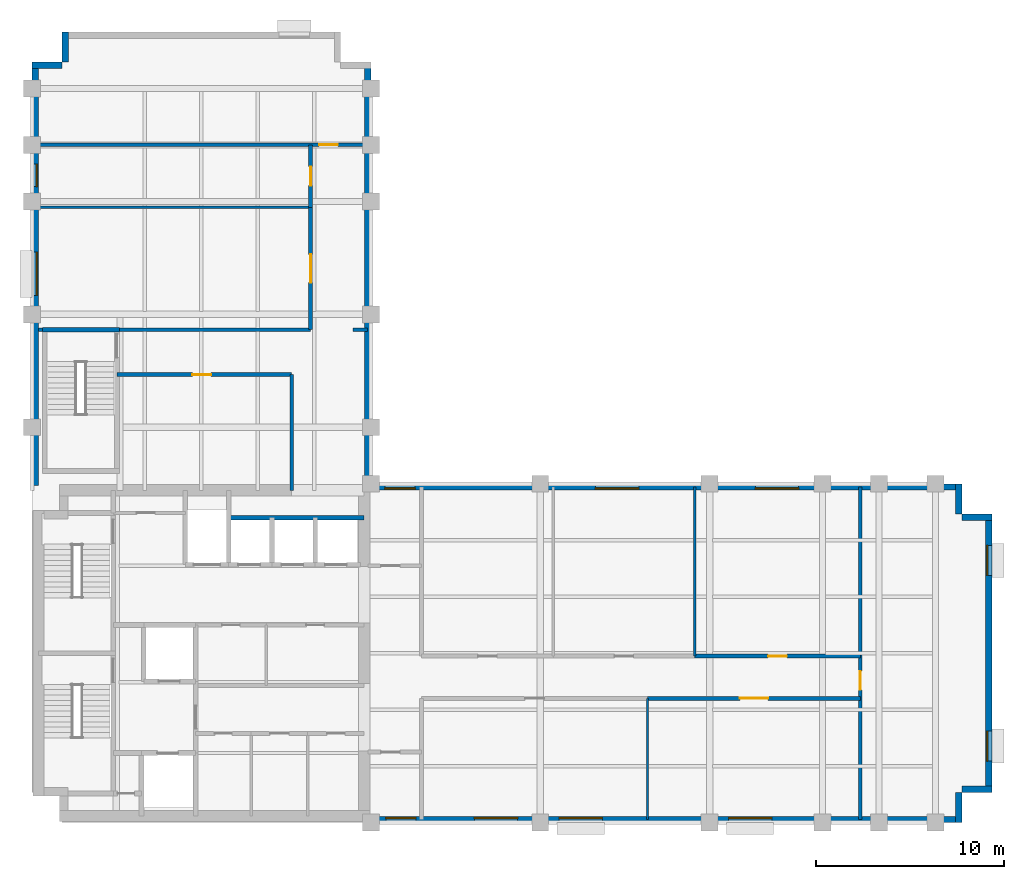
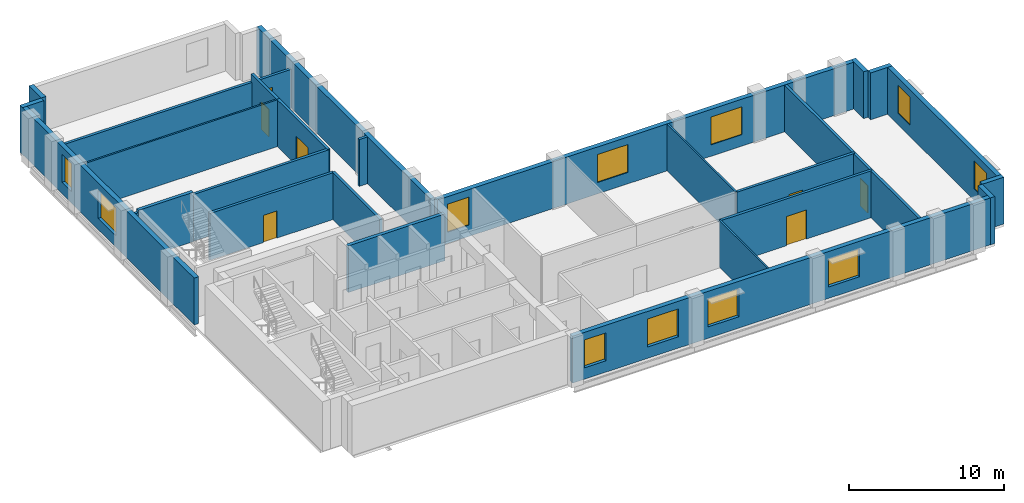
# One storey, part 4 of 7: 27 walls, 11 windows, 7 doors, 18 openings.
"""IFC4 building model written with IfcOpenShell, lengths in metres."""

import ifcopenshell
import ifcopenshell.guid

model = None  # the IFC model being written
_history = None  # IfcOwnerHistory: only IFC2X3 demands one
_inside = {}  # id of a spatial element -> (the spatial element, [elements in it])
_under = {}  # id of a project, library or spatial element -> (it, [spatial elements below it])
_declared = {}  # id of a project -> (the project, [libraries it declares])
_typed = {}  # id of a type object -> (the type object, [elements of that type])
_made_of = {}  # id of a material, layer set ... -> (it, [elements and type objects made of it])


def new_model(schema):
    """Start an empty IFC model of exactly this schema.

    Asked for "IFC4X3", IfcOpenShell would pick the latest addendum, in which some entities
    have other attributes; the version numbers below select the first issue.
    IFC2X3 requires an IfcOwnerHistory on every rooted entity: one is made here for all.
    """
    global model, _history
    if schema == "IFC4X3":
        model = ifcopenshell.file(schema_version=(4, 3, 0, 0))
    else:
        model = ifcopenshell.file(schema=schema)
    _inside.clear()
    _under.clear()
    _declared.clear()
    _typed.clear()
    _made_of.clear()
    _history = None
    if model.schema == "IFC2X3":
        org = make("IfcOrganization", Name="unknown")
        user = make(
            "IfcPersonAndOrganization",
            ThePerson=make("IfcPerson", FamilyName="unknown"),
            TheOrganization=org,
        )
        app = make(
            "IfcApplication",
            ApplicationDeveloper=org,
            Version="unknown",
            ApplicationFullName="unknown",
            ApplicationIdentifier="unknown",
        )
        _history = make(
            "IfcOwnerHistory",
            OwningUser=user,
            OwningApplication=app,
            ChangeAction="ADDED",
            CreationDate=0,
        )
    return model


def make(cls, **values):
    """One entity of the class cls with the attributes given. An attribute that is None is left unset."""
    return model.create_entity(
        cls, **{name: value for name, value in values.items() if value is not None}
    )


def rooted(cls, **values):
    """An entity with a GlobalId (a new one), such as an element, a storey or a relation."""
    return make(cls, GlobalId=ifcopenshell.guid.new(), OwnerHistory=_history, **values)


def si_unit(unit_type, name, prefix=None):
    """IfcSIUnit, for example si_unit("LENGTHUNIT", "METRE", prefix="MILLI")."""
    return make("IfcSIUnit", UnitType=unit_type, Prefix=prefix, Name=name)


def assignment(units):
    """IfcUnitAssignment: the units of a project."""
    return None if units is None else make("IfcUnitAssignment", Units=units)


def point(xyz):
    """IfcCartesianPoint."""
    return None if xyz is None else make("IfcCartesianPoint", Coordinates=xyz)


def direction(xyz):
    """IfcDirection."""
    return None if xyz is None else make("IfcDirection", DirectionRatios=xyz)


def frame(location, z_axis=None, x_axis=None):
    """IfcAxis2Placement3D, a coordinate frame: its origin and axes. An axis left out is left unset."""
    return make(
        "IfcAxis2Placement3D",
        Location=point(location),
        Axis=direction(z_axis),
        RefDirection=direction(x_axis),
    )


def frame_2d(location, x_axis=None):
    """IfcAxis2Placement2D, a coordinate frame in the plane: its origin and x axis."""
    return make(
        "IfcAxis2Placement2D", Location=point(location), RefDirection=direction(x_axis)
    )


def origin():
    """The frame at (0, 0, 0) with its axes left unset."""
    return frame((0.0, 0.0, 0.0))


def place(relative_to, where):
    """IfcLocalPlacement: puts the frame where relative to a parent placement (None: the world)."""
    return make(
        "IfcLocalPlacement", PlacementRelTo=relative_to, RelativePlacement=where
    )


def context(
    kind, dimensions, precision=None, world=None, true_north=None, identifier=None
):
    """IfcGeometricRepresentationContext, for example the 3D "Model" context."""
    return make(
        "IfcGeometricRepresentationContext",
        ContextIdentifier=identifier,
        ContextType=kind,
        CoordinateSpaceDimension=dimensions,
        Precision=precision,
        WorldCoordinateSystem=world,
        TrueNorth=true_north,
    )


def subcontext(parent, identifier, kind, view, scale=None):
    """IfcGeometricRepresentationSubContext, for example "Body" below "Model"."""
    return make(
        "IfcGeometricRepresentationSubContext",
        ContextIdentifier=identifier,
        ContextType=kind,
        ParentContext=parent,
        TargetScale=scale,
        TargetView=view,
    )


def project(units=None, contexts=None):
    """IfcProject with its units and contexts."""
    return rooted(
        "IfcProject",
        Name="project",
        RepresentationContexts=contexts,
        UnitsInContext=assignment(units),
    )


def spatial(cls, under=None, at=None, **own):
    """A site, building, storey or space (cls), placed at a placement, below another one or the project."""
    s = rooted(cls, ObjectPlacement=at, **own)
    if under is not None:
        _under.setdefault(under.id(), (under, []))[1].append(s)
    return s


def profile(cls, at=None, kind="AREA", **sizes):
    """A parametric profile (cls). Its sizes go by their IFC names, for example OverallWidth=200.0."""
    return make(cls, ProfileType=kind, Position=at, **sizes)


def rectangle(**sizes):
    """IfcRectangleProfileDef."""
    return profile("IfcRectangleProfileDef", **sizes)


def extrude(swept, where, along, depth):
    """IfcExtrudedAreaSolid: the profile swept, set in the frame where, extruded along a direction by depth."""
    return make(
        "IfcExtrudedAreaSolid",
        SweptArea=swept,
        Position=where,
        ExtrudedDirection=direction(along),
        Depth=depth,
    )


def shape(context_of_items, identifier, shape_type, items):
    """IfcShapeRepresentation: the items that make up one representation, for example the "Body"."""
    return make(
        "IfcShapeRepresentation",
        ContextOfItems=context_of_items,
        RepresentationIdentifier=identifier,
        RepresentationType=shape_type,
        Items=items,
    )


def material(Name=None, Category=None):
    """IfcMaterial."""
    return make("IfcMaterial", Name=Name, Category=Category)


def layer(
    of_material, thickness, ventilated=None, Name=None, Category=None, Priority=None
):
    """IfcMaterialLayer: one layer of a wall or slab, of a material (None: an air gap)."""
    return make(
        "IfcMaterialLayer",
        Material=of_material,
        LayerThickness=thickness,
        IsVentilated=ventilated,
        Name=Name,
        Category=Category,
        Priority=Priority,
    )


def layer_set(layers, Name=None):
    """IfcMaterialLayerSet."""
    return make("IfcMaterialLayerSet", MaterialLayers=layers, LayerSetName=Name)


def made_of(thing, what):
    """Note that an element or type object is made of a material, layer set ...; save() writes the relation."""
    if what is not None:
        _made_of.setdefault(what.id(), (what, []))[1].append(thing)
    return thing


def type_object(cls, material=None, **own):
    """A type object (cls), such as IfcWallType, which elements share."""
    return made_of(rooted(cls, **own), material)


def element(
    cls,
    number,
    at=None,
    inside=None,
    cuts=None,
    type_object=None,
    material=None,
    context=None,
    identifier="Body",
    shape_type=None,
    held_by="IfcProductDefinitionShape",
    body=None,
    shapes=None,
    **own,
):
    """One element of the class cls, such as IfcWall. Its Tag is "e" and its number.

    at: its placement. inside: the storey or other place that contains it. cuts: it is an
    opening in that element (IfcRelVoidsElement). A single representation is given by context,
    identifier, shape_type and body (its items); several are given by shapes. held_by: the class
    of the entity that holds the representations. save() writes the other relations.
    """
    e = rooted(cls, Tag="e%d" % number, ObjectPlacement=at, **own)
    if body is not None:
        shapes = [shape(context, identifier, shape_type, body)]
    if shapes is not None:
        e.Representation = make(held_by, Representations=shapes)
    if inside is not None:
        _inside.setdefault(inside.id(), (inside, []))[1].append(e)
    if cuts is not None:
        rooted(
            "IfcRelVoidsElement", RelatingBuildingElement=cuts, RelatedOpeningElement=e
        )
    if type_object is not None:
        _typed.setdefault(type_object.id(), (type_object, []))[1].append(e)
    return made_of(e, material)


def fill(opening, filler):
    """IfcRelFillsElement: the door or window that sits in an opening."""
    return rooted(
        "IfcRelFillsElement",
        RelatingOpeningElement=opening,
        RelatedBuildingElement=filler,
    )


def aggregate(whole, parts):
    """IfcRelAggregates: a whole, such as a stair, and the parts it consists of."""
    return rooted("IfcRelAggregates", RelatingObject=whole, RelatedObjects=parts)


def save(model, path):
    """Write the relations noted so far, then the file.

    IfcRelAggregates (storeys below a building ...), IfcRelContainedInSpatialStructure (elements
    in a storey), IfcRelDefinesByType, IfcRelAssociatesMaterial and IfcRelDeclares: one each for
    every whole, place, type object, material and project.
    """
    for whole, parts in _under.values():
        aggregate(whole, parts)
    for where, things in _inside.values():
        rooted(
            "IfcRelContainedInSpatialStructure",
            RelatedElements=things,
            RelatingStructure=where,
        )
    for kind, things in _typed.values():
        rooted("IfcRelDefinesByType", RelatedObjects=things, RelatingType=kind)
    for what, things in _made_of.values():
        rooted("IfcRelAssociatesMaterial", RelatedObjects=things, RelatingMaterial=what)
    for by, libraries in _declared.values():
        rooted("IfcRelDeclares", RelatingContext=by, RelatedDefinitions=libraries)
    model.write(path)


model = new_model("IFC4")

# Units and contexts
model_context = context("Model", 3, precision=1e-05, world=origin(), true_north=direction((0.0, 1.0)))
body_context = subcontext(model_context, "Body", "Model", "MODEL_VIEW")
ifc_project = project(units=[si_unit("LENGTHUNIT", "METRE"), si_unit("AREAUNIT", "SQUARE_METRE"), si_unit("VOLUMEUNIT", "CUBIC_METRE"), si_unit("PLANEANGLEUNIT", "RADIAN"), si_unit("MASSUNIT", "GRAM", prefix="KILO")], contexts=[model_context])

# Site, building, storey
site_placement = place(None, origin())
site = spatial("IfcSite", under=ifc_project, at=site_placement, CompositionType="ELEMENT")
building_placement = place(site_placement, origin())
building = spatial("IfcBuilding", under=site, at=building_placement, Name="Mawjdan Bourse Tower", CompositionType="ELEMENT")
storey_placement = place(building_placement, frame((0.0, 0.0, 168.300048828125)))
storey = spatial("IfcBuildingStorey", under=building, at=storey_placement, Name="L40", CompositionType="ELEMENT", Elevation=168.300048828125)

# Wall, openings, windows
ifc_material_1 = material(Name="Brick Masonry Buff", Category="masonry")
ifc_layer_1 = layer(ifc_material_1, 0.340087890625)
ifc_layer_set_1 = layer_set([ifc_layer_1], Name="Brick Masonry Buff")
wall_type_1 = type_object("IfcWallType", Name="WL-BRK-SPN-340", PredefinedType="STANDARD", material=ifc_layer_set_1)
wall_1_placement = place(storey_placement, frame((23.89990234375, 3.169921875, 0.0), z_axis=(0.0, 0.0, 1.0), x_axis=(1.0, 0.0, 0.0)))
wall_1 = element("IfcWall", 1, at=wall_1_placement, inside=storey, type_object=wall_type_1, Name="L40 Exterior Brick Wall 1", PredefinedType="STANDARD", context=body_context, shape_type="SweptSolid", body=[
    extrude(rectangle(XDim=31.5, YDim=0.340087890625, at=frame_2d((15.75, 0.0))), origin(), (0.0, 0.0, 1.0), 3.699951171875),
])
opening_1_placement = place(wall_1_placement, frame((5.60009765625, 0.0, 0.89990234375)))
opening_1 = element("IfcOpeningElement", 2, at=opening_1_placement, cuts=wall_1, Name="Opening W-L40-01", PredefinedType="OPENING", context=body_context, shape_type="SweptSolid", body=[
    extrude(rectangle(XDim=2.300048828125, YDim=2.199951171875, at=frame_2d((1.14990234375, 1.10009765625))), frame((0.0, 0.18017578125, 0.0), z_axis=(0.0, -1.0, 0.0), x_axis=(1.0, 0.0, 0.0)), (0.0, 0.0, 1.0), 0.360107421875),
])
opening_2_placement = place(wall_1_placement, frame((10.10009765625, 0.0, 0.89990234375)))
opening_2 = element("IfcOpeningElement", 3, at=opening_2_placement, cuts=wall_1, Name="Opening W-L40-02", PredefinedType="OPENING", context=body_context, shape_type="SweptSolid", body=[
    extrude(rectangle(XDim=2.300048828125, YDim=2.199951171875, at=frame_2d((1.14990234375, 1.10009765625))), frame((0.0, 0.18017578125, 0.0), z_axis=(0.0, -1.0, 0.0), x_axis=(1.0, 0.0, 0.0)), (0.0, 0.0, 1.0), 0.360107421875),
])
opening_3_placement = place(wall_1_placement, frame((19.10009765625, 0.0, 0.89990234375)))
opening_3 = element("IfcOpeningElement", 4, at=opening_3_placement, cuts=wall_1, Name="Opening W-L40-03", PredefinedType="OPENING", context=body_context, shape_type="SweptSolid", body=[
    extrude(rectangle(XDim=2.300048828125, YDim=2.199951171875, at=frame_2d((1.14990234375, 1.10009765625))), frame((0.0, 0.18017578125, 0.0), z_axis=(0.0, -1.0, 0.0), x_axis=(1.0, 0.0, 0.0)), (0.0, 0.0, 1.0), 0.360107421875),
])
opening_4_placement = place(wall_1_placement, frame((0.89990234375, 0.0, 0.89990234375)))
opening_4 = element("IfcOpeningElement", 5, at=opening_4_placement, cuts=wall_1, Name="Opening W-L40-09", PredefinedType="OPENING", context=body_context, shape_type="SweptSolid", body=[
    extrude(rectangle(XDim=1.60009765625, YDim=2.199951171875, at=frame_2d((0.800048828125, 1.10009765625))), frame((0.0, 0.18017578125, 0.0), z_axis=(0.0, -1.0, 0.0), x_axis=(1.0, 0.0, 0.0)), (0.0, 0.0, 1.0), 0.360107421875),
])
ifc_material_2 = material(Name="Solar-Control Clear Double Glazing", Category="glass")
window_type_1 = type_object("IfcWindowType", Name="WN-Z3-1600", PartitioningType="SINGLE_PANEL", PredefinedType="WINDOW", material=ifc_material_2)
window_1_placement = place(opening_4_placement, origin())
window_1 = element("IfcWindow", 6, at=window_1_placement, inside=storey, type_object=window_type_1, Name="L40 Deep-Set Masonry Window W-L40-09", OverallHeight=2.199951171875, OverallWidth=1.60009765625, PartitioningType="SINGLE_PANEL", PredefinedType="WINDOW", context=body_context, shape_type="SweptSolid", body=[
    extrude(rectangle(XDim=1.60009765625, YDim=2.199951171875, at=frame_2d((0.800048828125, 1.10009765625))), frame((0.0, 0.110107421875, 0.0), z_axis=(0.0, -1.0, 0.0), x_axis=(1.0, 0.0, 0.0)), (0.0, 0.0, 1.0), 0.06005859375),
])
fill(opening_4, window_1)
window_type_2 = type_object("IfcWindowType", Name="WN-Z3-2300", PartitioningType="SINGLE_PANEL", PredefinedType="WINDOW", material=ifc_material_2)
window_2_placement = place(opening_1_placement, origin())
window_2 = element("IfcWindow", 7, at=window_2_placement, inside=storey, type_object=window_type_2, Name="L40 Deep-Set Masonry Window W-L40-01", OverallHeight=2.199951171875, OverallWidth=2.300048828125, PartitioningType="SINGLE_PANEL", PredefinedType="WINDOW", context=body_context, shape_type="SweptSolid", body=[
    extrude(rectangle(XDim=2.300048828125, YDim=2.199951171875, at=frame_2d((1.14990234375, 1.10009765625))), frame((0.0, 0.110107421875, 0.0), z_axis=(0.0, -1.0, 0.0), x_axis=(1.0, 0.0, 0.0)), (0.0, 0.0, 1.0), 0.06005859375),
])
fill(opening_1, window_2)
window_3_placement = place(opening_2_placement, origin())
window_3 = element("IfcWindow", 8, at=window_3_placement, inside=storey, type_object=window_type_2, Name="L40 Deep-Set Masonry Window W-L40-02", OverallHeight=2.199951171875, OverallWidth=2.300048828125, PartitioningType="SINGLE_PANEL", PredefinedType="WINDOW", context=body_context, shape_type="SweptSolid", body=[
    extrude(rectangle(XDim=2.300048828125, YDim=2.199951171875, at=frame_2d((1.14990234375, 1.10009765625))), frame((0.0, 0.110107421875, 0.0), z_axis=(0.0, -1.0, 0.0), x_axis=(1.0, 0.0, 0.0)), (0.0, 0.0, 1.0), 0.06005859375),
])
fill(opening_2, window_3)
window_4_placement = place(opening_3_placement, origin())
window_4 = element("IfcWindow", 9, at=window_4_placement, inside=storey, type_object=window_type_2, Name="L40 Deep-Set Masonry Window W-L40-03", OverallHeight=2.199951171875, OverallWidth=2.300048828125, PartitioningType="SINGLE_PANEL", PredefinedType="WINDOW", context=body_context, shape_type="SweptSolid", body=[
    extrude(rectangle(XDim=2.300048828125, YDim=2.199951171875, at=frame_2d((1.14990234375, 1.10009765625))), frame((0.0, 0.110107421875, 0.0), z_axis=(0.0, -1.0, 0.0), x_axis=(1.0, 0.0, 0.0)), (0.0, 0.0, 1.0), 0.06005859375),
])
fill(opening_3, window_4)

# Walls
for number, where, z_axis, x_axis, name in (
    (10, (55.22998046875, 3.0, 0.0), (0.0, 0.0, 1.0), (0.0, 1.0, 0.0), "L40 Exterior Brick Wall 2"),
    (11, (55.39990234375, 4.77001953125, 0.0), (0.0, 0.0, 1.0), (1.0, 0.0, 0.0), "L40 Exterior Brick Wall 3"),
):
    element("IfcWall", number, at=place(storey_placement, frame(where, z_axis=z_axis, x_axis=x_axis)), inside=storey, type_object=wall_type_1, Name=name, PredefinedType="STANDARD", context=body_context, shape_type="SweptSolid", body=[
        extrude(rectangle(XDim=1.60009765625, YDim=0.340087890625, at=frame_2d((0.800048828125, 0.0))), origin(), (0.0, 0.0, 1.0), 3.699951171875),
    ])

# Wall, openings, windows
wall_2_placement = place(storey_placement, frame((56.830078125, 4.60009765625, 0.0), z_axis=(0.0, 0.0, 1.0), x_axis=(0.0, 1.0, 0.0)))
wall_2 = element("IfcWall", 12, at=wall_2_placement, inside=storey, type_object=wall_type_1, Name="L40 Exterior Brick Wall 4", PredefinedType="STANDARD", context=body_context, shape_type="SweptSolid", body=[
    extrude(rectangle(XDim=14.7998046875, YDim=0.340087890625, at=frame_2d((7.39990234375, 0.0))), origin(), (0.0, 0.0, 1.0), 3.699951171875),
])
opening_5_placement = place(wall_2_placement, frame((1.666748046875, 0.0, 0.89990234375)))
opening_5 = element("IfcOpeningElement", 13, at=opening_5_placement, cuts=wall_2, Name="Opening W-L40-04", PredefinedType="OPENING", context=body_context, shape_type="SweptSolid", body=[
    extrude(rectangle(XDim=1.60009765625, YDim=2.199951171875, at=frame_2d((0.800048828125, 1.10009765625))), frame((0.0, 0.18017578125, 0.0), z_axis=(0.0, -1.0, 0.0), x_axis=(1.0, 0.0, 0.0)), (0.0, 0.0, 1.0), 0.360107421875),
])
opening_6_placement = place(wall_2_placement, frame((11.533203125, 0.0, 0.89990234375)))
opening_6 = element("IfcOpeningElement", 14, at=opening_6_placement, cuts=wall_2, Name="Opening W-L40-05", PredefinedType="OPENING", context=body_context, shape_type="SweptSolid", body=[
    extrude(rectangle(XDim=1.60009765625, YDim=2.199951171875, at=frame_2d((0.800048828125, 1.10009765625))), frame((0.0, 0.18017578125, 0.0), z_axis=(0.0, -1.0, 0.0), x_axis=(1.0, 0.0, 0.0)), (0.0, 0.0, 1.0), 0.360107421875),
])
window_5_placement = place(opening_5_placement, origin())
window_5 = element("IfcWindow", 15, at=window_5_placement, inside=storey, type_object=window_type_1, Name="L40 Deep-Set Masonry Window W-L40-04", OverallHeight=2.199951171875, OverallWidth=1.60009765625, PartitioningType="SINGLE_PANEL", PredefinedType="WINDOW", context=body_context, shape_type="SweptSolid", body=[
    extrude(rectangle(XDim=1.60009765625, YDim=2.199951171875, at=frame_2d((0.800048828125, 1.10009765625))), frame((0.0, 0.110107421875, 0.0), z_axis=(0.0, -1.0, 0.0), x_axis=(1.0, 0.0, 0.0)), (0.0, 0.0, 1.0), 0.06005859375),
])
fill(opening_5, window_5)
window_6_placement = place(opening_6_placement, origin())
window_6 = element("IfcWindow", 16, at=window_6_placement, inside=storey, type_object=window_type_1, Name="L40 Deep-Set Masonry Window W-L40-05", OverallHeight=2.199951171875, OverallWidth=1.60009765625, PartitioningType="SINGLE_PANEL", PredefinedType="WINDOW", context=body_context, shape_type="SweptSolid", body=[
    extrude(rectangle(XDim=1.60009765625, YDim=2.199951171875, at=frame_2d((0.800048828125, 1.10009765625))), frame((0.0, 0.110107421875, 0.0), z_axis=(0.0, -1.0, 0.0), x_axis=(1.0, 0.0, 0.0)), (0.0, 0.0, 1.0), 0.06005859375),
])
fill(opening_6, window_6)

# Walls
for number, where, z_axis, x_axis, name in (
    (17, (57.0, 19.22998046875, 0.0), (0.0, 0.0, 1.0), (-1.0, 0.0, 0.0), "L40 Exterior Brick Wall 5"),
    (18, (55.22998046875, 19.39990234375, 0.0), (0.0, 0.0, 1.0), (0.0, 1.0, 0.0), "L40 Exterior Brick Wall 6"),
):
    element("IfcWall", number, at=place(storey_placement, frame(where, z_axis=z_axis, x_axis=x_axis)), inside=storey, type_object=wall_type_1, Name=name, PredefinedType="STANDARD", context=body_context, shape_type="SweptSolid", body=[
        extrude(rectangle(XDim=1.60009765625, YDim=0.340087890625, at=frame_2d((0.800048828125, 0.0))), origin(), (0.0, 0.0, 1.0), 3.699951171875),
    ])

# Wall, openings, windows
wall_3_placement = place(storey_placement, frame((55.39990234375, 20.830078125, 0.0), z_axis=(0.0, 0.0, 1.0), x_axis=(-1.0, 0.0, 0.0)))
wall_3 = element("IfcWall", 19, at=wall_3_placement, inside=storey, type_object=wall_type_1, Name="L40 Exterior Brick Wall 7", PredefinedType="STANDARD", context=body_context, shape_type="SweptSolid", body=[
    extrude(rectangle(XDim=31.39990234375, YDim=0.340087890625, at=frame_2d((15.699951171875, 0.0))), origin(), (0.0, 0.0, 1.0), 3.699951171875),
])
opening_7_placement = place(wall_3_placement, frame((17.166748046875, 0.0, 0.89990234375)))
opening_7 = element("IfcOpeningElement", 20, at=opening_7_placement, cuts=wall_3, Name="Opening W-L40-06", PredefinedType="OPENING", context=body_context, shape_type="SweptSolid", body=[
    extrude(rectangle(XDim=2.300048828125, YDim=2.199951171875, at=frame_2d((1.14990234375, 1.10009765625))), frame((0.0, 0.18017578125, 0.0), z_axis=(0.0, -1.0, 0.0), x_axis=(1.0, 0.0, 0.0)), (0.0, 0.0, 1.0), 0.360107421875),
])
opening_8_placement = place(wall_3_placement, frame((29.0458984375, 0.0, 0.89990234375)))
opening_8 = element("IfcOpeningElement", 21, at=opening_8_placement, cuts=wall_3, Name="Opening W-L40-10", PredefinedType="OPENING", context=body_context, shape_type="SweptSolid", body=[
    extrude(rectangle(XDim=1.60009765625, YDim=2.199951171875, at=frame_2d((0.800048828125, 1.10009765625))), frame((0.0, 0.18017578125, 0.0), z_axis=(0.0, -1.0, 0.0), x_axis=(1.0, 0.0, 0.0)), (0.0, 0.0, 1.0), 0.360107421875),
])
opening_9_placement = place(wall_3_placement, frame((8.6748046875, 0.0, 0.89990234375)))
opening_9 = element("IfcOpeningElement", 22, at=opening_9_placement, cuts=wall_3, Name="Opening W-L40-11", PredefinedType="OPENING", context=body_context, shape_type="SweptSolid", body=[
    extrude(rectangle(XDim=2.300048828125, YDim=2.199951171875, at=frame_2d((1.14990234375, 1.10009765625))), frame((0.0, 0.18017578125, 0.0), z_axis=(0.0, -1.0, 0.0), x_axis=(1.0, 0.0, 0.0)), (0.0, 0.0, 1.0), 0.360107421875),
])
window_7_placement = place(opening_8_placement, origin())
window_7 = element("IfcWindow", 23, at=window_7_placement, inside=storey, type_object=window_type_1, Name="L40 Deep-Set Masonry Window W-L40-10", OverallHeight=2.199951171875, OverallWidth=1.60009765625, PartitioningType="SINGLE_PANEL", PredefinedType="WINDOW", context=body_context, shape_type="SweptSolid", body=[
    extrude(rectangle(XDim=1.60009765625, YDim=2.199951171875, at=frame_2d((0.800048828125, 1.10009765625))), frame((0.0, 0.110107421875, 0.0), z_axis=(0.0, -1.0, 0.0), x_axis=(1.0, 0.0, 0.0)), (0.0, 0.0, 1.0), 0.06005859375),
])
fill(opening_8, window_7)
window_8_placement = place(opening_7_placement, origin())
window_8 = element("IfcWindow", 24, at=window_8_placement, inside=storey, type_object=window_type_2, Name="L40 Deep-Set Masonry Window W-L40-06", OverallHeight=2.199951171875, OverallWidth=2.300048828125, PartitioningType="SINGLE_PANEL", PredefinedType="WINDOW", context=body_context, shape_type="SweptSolid", body=[
    extrude(rectangle(XDim=2.300048828125, YDim=2.199951171875, at=frame_2d((1.14990234375, 1.10009765625))), frame((0.0, 0.110107421875, 0.0), z_axis=(0.0, -1.0, 0.0), x_axis=(1.0, 0.0, 0.0)), (0.0, 0.0, 1.0), 0.06005859375),
])
fill(opening_7, window_8)
window_9_placement = place(opening_9_placement, origin())
window_9 = element("IfcWindow", 25, at=window_9_placement, inside=storey, type_object=window_type_2, Name="L40 Deep-Set Masonry Window W-L40-11", OverallHeight=2.199951171875, OverallWidth=2.300048828125, PartitioningType="SINGLE_PANEL", PredefinedType="WINDOW", context=body_context, shape_type="SweptSolid", body=[
    extrude(rectangle(XDim=2.300048828125, YDim=2.199951171875, at=frame_2d((1.14990234375, 1.10009765625))), frame((0.0, 0.110107421875, 0.0), z_axis=(0.0, -1.0, 0.0), x_axis=(1.0, 0.0, 0.0)), (0.0, 0.0, 1.0), 0.06005859375),
])
fill(opening_9, window_9)

# Walls
wall_4_placement = place(storey_placement, frame((23.830078125, 21.0, 0.0), z_axis=(0.0, 0.0, 1.0), x_axis=(0.0, 1.0, 0.0)))
element("IfcWall", 26, at=wall_4_placement, inside=storey, type_object=wall_type_1, Name="L40 Exterior Brick Wall 8", PredefinedType="STANDARD", context=body_context, shape_type="SweptSolid", body=[
    extrude(rectangle(XDim=22.39990234375, YDim=0.340087890625, at=frame_2d((11.199951171875, 0.0))), origin(), (0.0, 0.0, 1.0), 3.699951171875),
])
for number, where, z_axis, x_axis, name in (
    (27, (7.77001953125, 45.0, 0.0), (0.0, 0.0, 1.0), (0.0, -1.0, 0.0), "L40 Exterior Brick Wall 12"),
    (28, (7.60009765625, 43.22998046875, 0.0), (0.0, 0.0, 1.0), (-1.0, 0.0, 0.0), "L40 Exterior Brick Wall 13"),
):
    element("IfcWall", number, at=place(storey_placement, frame(where, z_axis=z_axis, x_axis=x_axis)), inside=storey, type_object=wall_type_1, Name=name, PredefinedType="STANDARD", context=body_context, shape_type="SweptSolid", body=[
        extrude(rectangle(XDim=1.60009765625, YDim=0.340087890625, at=frame_2d((0.800048828125, 0.0))), origin(), (0.0, 0.0, 1.0), 3.699951171875),
    ])

# Wall, openings, windows
wall_5_placement = place(storey_placement, frame((6.169921875, 43.39990234375, 0.0), z_axis=(0.0, 0.0, 1.0), x_axis=(0.0, -1.0, 0.0)))
wall_5 = element("IfcWall", 29, at=wall_5_placement, inside=storey, type_object=wall_type_1, Name="L40 Exterior Brick Wall 14", PredefinedType="STANDARD", context=body_context, shape_type="SweptSolid", body=[
    extrude(rectangle(XDim=22.5, YDim=0.340087890625, at=frame_2d((11.25, 0.0))), origin(), (0.0, 0.0, 1.0), 3.699951171875),
])
opening_10_placement = place(wall_5_placement, frame((10.10009765625, 0.0, 0.89990234375)))
opening_10 = element("IfcOpeningElement", 30, at=opening_10_placement, cuts=wall_5, Name="Opening W-L40-08", PredefinedType="OPENING", context=body_context, shape_type="SweptSolid", body=[
    extrude(rectangle(XDim=2.300048828125, YDim=2.199951171875, at=frame_2d((1.14990234375, 1.10009765625))), frame((0.0, 0.18017578125, 0.0), z_axis=(0.0, -1.0, 0.0), x_axis=(1.0, 0.0, 0.0)), (0.0, 0.0, 1.0), 0.360107421875),
])
opening_11_placement = place(wall_5_placement, frame((5.4248046875, 0.0, 0.89990234375)))
opening_11 = element("IfcOpeningElement", 31, at=opening_11_placement, cuts=wall_5, Name="Opening W-L40-12", PredefinedType="OPENING", context=body_context, shape_type="SweptSolid", body=[
    extrude(rectangle(XDim=1.199951171875, YDim=2.199951171875, at=frame_2d((0.60009765625, 1.10009765625))), frame((0.0, 0.18017578125, 0.0), z_axis=(0.0, -1.0, 0.0), x_axis=(1.0, 0.0, 0.0)), (0.0, 0.0, 1.0), 0.360107421875),
])
window_type_3 = type_object("IfcWindowType", Name="WN-Z3-1200", PartitioningType="SINGLE_PANEL", PredefinedType="WINDOW", material=ifc_material_2)
window_10_placement = place(opening_11_placement, origin())
window_10 = element("IfcWindow", 32, at=window_10_placement, inside=storey, type_object=window_type_3, Name="L40 Deep-Set Masonry Window W-L40-12", OverallHeight=2.199951171875, OverallWidth=1.199951171875, PartitioningType="SINGLE_PANEL", PredefinedType="WINDOW", context=body_context, shape_type="SweptSolid", body=[
    extrude(rectangle(XDim=1.199951171875, YDim=2.199951171875, at=frame_2d((0.60009765625, 1.10009765625))), frame((0.0, 0.110107421875, 0.0), z_axis=(0.0, -1.0, 0.0), x_axis=(1.0, 0.0, 0.0)), (0.0, 0.0, 1.0), 0.06005859375),
])
fill(opening_11, window_10)
window_11_placement = place(opening_10_placement, origin())
window_11 = element("IfcWindow", 33, at=window_11_placement, inside=storey, type_object=window_type_2, Name="L40 Deep-Set Masonry Window W-L40-08", OverallHeight=2.199951171875, OverallWidth=2.300048828125, PartitioningType="SINGLE_PANEL", PredefinedType="WINDOW", context=body_context, shape_type="SweptSolid", body=[
    extrude(rectangle(XDim=2.300048828125, YDim=2.199951171875, at=frame_2d((1.14990234375, 1.10009765625))), frame((0.0, 0.110107421875, 0.0), z_axis=(0.0, -1.0, 0.0), x_axis=(1.0, 0.0, 0.0)), (0.0, 0.0, 1.0), 0.06005859375),
])
fill(opening_10, window_11)

# Wall, opening, door
ifc_material_3 = material(Name="Gypsum Fireboard Assembly")
ifc_layer_2 = layer(ifc_material_3, 0.199951171875)
ifc_layer_set_2 = layer_set([ifc_layer_2], Name="Gypsum Fireboard Assembly")
wall_type_2 = type_object("IfcWallType", Name="WL-CMP-200", PredefinedType="PARTITIONING", material=ifc_layer_set_2)
wall_6_placement = place(storey_placement, frame((38.699951171875, 9.60009765625, 0.0), z_axis=(0.0, 0.0, 1.0), x_axis=(1.0, 0.0, 0.0)))
wall_6 = element("IfcWall", 34, at=wall_6_placement, inside=storey, type_object=wall_type_2, Name="L40 Conference Room Corridor Wall", PredefinedType="PARTITIONING", context=body_context, shape_type="SweptSolid", body=[
    extrude(rectangle(XDim=11.300048828125, YDim=0.199951171875, at=frame_2d((5.64990234375, 0.0))), origin(), (0.0, 0.0, 1.0), 3.68994140625),
])
opening_12_placement = place(wall_6_placement, frame((4.89990234375, 0.0, 0.0)))
opening_12 = element("IfcOpeningElement", 35, at=opening_12_placement, cuts=wall_6, Name="Opening D-L40-23", PredefinedType="OPENING", context=body_context, shape_type="SweptSolid", body=[
    extrude(rectangle(XDim=1.5, YDim=2.300048828125, at=frame_2d((0.75, 1.14990234375))), frame((0.0, 0.10986328125, 0.0), z_axis=(0.0, -1.0, 0.0), x_axis=(1.0, 0.0, 0.0)), (0.0, 0.0, 1.0), 0.219970703125),
])
ifc_material_4 = material(Name="Acoustic Glazed Timber", Category="wood")
door_type_1 = type_object("IfcDoorType", Name="DR-CNF-1500", OperationType="DOUBLE_DOOR_SINGLE_SWING", PredefinedType="DOOR", material=ifc_material_4)
door_1_placement = place(opening_12_placement, origin())
door_1 = element("IfcDoor", 36, at=door_1_placement, inside=storey, type_object=door_type_1, Name="L40 Conference Room Door D-L40-23", OperationType="DOUBLE_DOOR_SINGLE_SWING", OverallHeight=2.300048828125, OverallWidth=1.5, PredefinedType="DOOR", context=body_context, shape_type="SweptSolid", body=[
    extrude(rectangle(XDim=1.5, YDim=2.300048828125, at=frame_2d((0.75, 1.14990234375))), frame((0.0, 0.02490234375, 0.0), z_axis=(0.0, -1.0, 0.0), x_axis=(1.0, 0.0, 0.0)), (0.0, 0.0, 1.0), 0.050048828125),
])
fill(opening_12, door_1)

wall_7_placement = place(storey_placement, frame((41.199951171875, 11.85009765625, 0.0), z_axis=(0.0, 0.0, 1.0), x_axis=(1.0, 0.0, 0.0)))
wall_7 = element("IfcWall", 37, at=wall_7_placement, inside=storey, type_object=wall_type_2, Name="L40 Client Reception Corridor Wall", PredefinedType="PARTITIONING", context=body_context, shape_type="SweptSolid", body=[
    extrude(rectangle(XDim=8.800048828125, YDim=0.199951171875, at=frame_2d((4.39990234375, 0.0))), origin(), (0.0, 0.0, 1.0), 3.68994140625),
])
opening_13_placement = place(wall_7_placement, frame((3.89990234375, 0.0, 0.0)))
opening_13 = element("IfcOpeningElement", 38, at=opening_13_placement, cuts=wall_7, Name="Opening D-L40-26", PredefinedType="OPENING", context=body_context, shape_type="SweptSolid", body=[
    extrude(rectangle(XDim=1.0, YDim=2.14990234375, at=frame_2d((0.5, 1.074951171875))), frame((0.0, 0.10986328125, 0.0), z_axis=(0.0, -1.0, 0.0), x_axis=(1.0, 0.0, 0.0)), (0.0, 0.0, 1.0), 0.219970703125),
])
ifc_material_5 = material(Name="Hardwood Acoustic Leaf", Category="wood")
door_type_2 = type_object("IfcDoorType", Name="DR-OFC-1000", OperationType="NOTDEFINED", PredefinedType="DOOR", material=ifc_material_5)
door_2_placement = place(opening_13_placement, origin())
door_2 = element("IfcDoor", 39, at=door_2_placement, inside=storey, type_object=door_type_2, Name="L40 Client Reception Door D-L40-26", OperationType="SINGLE_SWING_LEFT", OverallHeight=2.14990234375, OverallWidth=1.0, PredefinedType="DOOR", context=body_context, shape_type="SweptSolid", body=[
    extrude(rectangle(XDim=1.0, YDim=2.14990234375, at=frame_2d((0.5, 1.074951171875))), frame((0.0, 0.02490234375, 0.0), z_axis=(0.0, -1.0, 0.0), x_axis=(1.0, 0.0, 0.0)), (0.0, 0.0, 1.0), 0.050048828125),
])
fill(opening_13, door_2)

wall_8_placement = place(storey_placement, frame((50.0, 3.179931640625, 0.0), z_axis=(0.0, 0.0, 1.0), x_axis=(0.0, 1.0, 0.0)))
wall_8 = element("IfcWall", 40, at=wall_8_placement, inside=storey, type_object=wall_type_2, Name="L40 East Tip Full Cross Wall", PredefinedType="PARTITIONING", context=body_context, shape_type="SweptSolid", body=[
    extrude(rectangle(XDim=17.64013671875, YDim=0.199951171875, at=frame_2d((8.820068359375, 0.0))), origin(), (0.0, 0.0, 1.0), 3.68994140625),
])
opening_14_placement = place(wall_8_placement, frame((6.875, 0.0, 0.0)))
opening_14 = element("IfcOpeningElement", 41, at=opening_14_placement, cuts=wall_8, Name="Opening D-L40-27", PredefinedType="OPENING", context=body_context, shape_type="SweptSolid", body=[
    extrude(rectangle(XDim=1.0, YDim=2.14990234375, at=frame_2d((0.5, 1.074951171875))), frame((0.0, 0.10986328125, 0.0), z_axis=(0.0, -1.0, 0.0), x_axis=(1.0, 0.0, 0.0)), (0.0, 0.0, 1.0), 0.219970703125),
])
door_3_placement = place(opening_14_placement, origin())
door_3 = element("IfcDoor", 42, at=door_3_placement, inside=storey, type_object=door_type_2, Name="L40 East Tip Hall Door D-L40-27", OperationType="SINGLE_SWING_RIGHT", OverallHeight=2.14990234375, OverallWidth=1.0, PredefinedType="DOOR", context=body_context, shape_type="SweptSolid", body=[
    extrude(rectangle(XDim=1.0, YDim=2.14990234375, at=frame_2d((0.5, 1.074951171875))), frame((0.0, 0.02490234375, 0.0), z_axis=(0.0, -1.0, 0.0), x_axis=(1.0, 0.0, 0.0)), (0.0, 0.0, 1.0), 0.050048828125),
])
fill(opening_14, door_3)

wall_9_placement = place(storey_placement, frame((10.52001953125, 26.800048828125, 0.0), z_axis=(0.0, 0.0, 1.0), x_axis=(1.0, 0.0, 0.0)))
wall_9 = element("IfcWall", 43, at=wall_9_placement, inside=storey, type_object=wall_type_2, Name="L40 North Throat North Wall", PredefinedType="PARTITIONING", context=body_context, shape_type="SweptSolid", body=[
    extrude(rectangle(XDim=9.280029296875, YDim=0.199951171875, at=frame_2d((4.64013671875, 0.0))), origin(), (0.0, 0.0, 1.0), 3.68994140625),
])
opening_15_placement = place(wall_9_placement, frame((4.0, 0.0, 0.0)))
opening_15 = element("IfcOpeningElement", 44, at=opening_15_placement, cuts=wall_9, Name="Opening D-L40-28", PredefinedType="OPENING", context=body_context, shape_type="SweptSolid", body=[
    extrude(rectangle(XDim=1.0, YDim=2.14990234375, at=frame_2d((0.5, 1.074951171875))), frame((0.0, 0.10986328125, 0.0), z_axis=(0.0, -1.0, 0.0), x_axis=(1.0, 0.0, 0.0)), (0.0, 0.0, 1.0), 0.219970703125),
])
door_4_placement = place(opening_15_placement, origin())
door_4 = element("IfcDoor", 45, at=door_4_placement, inside=storey, type_object=door_type_2, Name="L40 North Throat Suite Door D-L40-28", OperationType="SINGLE_SWING_LEFT", OverallHeight=2.14990234375, OverallWidth=1.0, PredefinedType="DOOR", context=body_context, shape_type="SweptSolid", body=[
    extrude(rectangle(XDim=1.0, YDim=2.14990234375, at=frame_2d((0.5, 1.074951171875))), frame((0.0, 0.02490234375, 0.0), z_axis=(0.0, -1.0, 0.0), x_axis=(1.0, 0.0, 0.0)), (0.0, 0.0, 1.0), 0.050048828125),
])
fill(opening_15, door_4)

# Walls
wall_10_placement = place(storey_placement, frame((19.800048828125, 20.64990234375, 0.0), z_axis=(0.0, 0.0, 1.0), x_axis=(0.0, 1.0, 0.0)))
element("IfcWall", 46, at=wall_10_placement, inside=storey, type_object=wall_type_2, Name="L40 North Throat East Wall", PredefinedType="PARTITIONING", context=body_context, shape_type="SweptSolid", body=[
    extrude(rectangle(XDim=6.150146484375, YDim=0.199951171875, at=frame_2d((3.0751953125, 0.0))), origin(), (0.0, 0.0, 1.0), 3.68994140625),
])
wall_11_placement = place(storey_placement, frame((6.340087890625, 29.179931640625, 0.0), z_axis=(0.0, 0.0, 1.0), x_axis=(1.0, 0.0, 0.0)))
element("IfcWall", 47, at=wall_11_placement, inside=storey, type_object=wall_type_2, Name="L40 North West Band ST3 West Return", PredefinedType="PARTITIONING", context=body_context, shape_type="SweptSolid", body=[
    extrude(rectangle(XDim=0.21484375, YDim=0.199951171875, at=frame_2d((0.107421875, 0.0))), origin(), (0.0, 0.0, 1.0), 3.68994140625),
])
wall_12_placement = place(storey_placement, frame((10.6298828125, 29.179931640625, 0.0), z_axis=(0.0, 0.0, 1.0), x_axis=(1.0, 0.0, 0.0)))
element("IfcWall", 48, at=wall_12_placement, inside=storey, type_object=wall_type_2, Name="L40 North West Band South Wall", PredefinedType="PARTITIONING", context=body_context, shape_type="SweptSolid", body=[
    extrude(rectangle(XDim=10.170166015625, YDim=0.199951171875, at=frame_2d((5.0849609375, 0.0))), origin(), (0.0, 0.0, 1.0), 3.68994140625),
])
wall_13_placement = place(storey_placement, frame((23.050048828125, 29.179931640625, 0.0), z_axis=(0.0, 0.0, 1.0), x_axis=(1.0, 0.0, 0.0)))
element("IfcWall", 49, at=wall_13_placement, inside=storey, type_object=wall_type_2, Name="L40 North East Band South Wall", PredefinedType="PARTITIONING", context=body_context, shape_type="SweptSolid", body=[
    extrude(rectangle(XDim=0.77001953125, YDim=0.199951171875, at=frame_2d((0.385009765625, 0.0))), origin(), (0.0, 0.0, 1.0), 3.68994140625),
])

# Wall, opening, door
wall_14_placement = place(storey_placement, frame((20.800048828125, 29.179931640625, 0.0), z_axis=(0.0, 0.0, 1.0), x_axis=(0.0, 1.0, 0.0)))
wall_14 = element("IfcWall", 50, at=wall_14_placement, inside=storey, type_object=wall_type_2, Name="L40 Conference Room Corridor Wall", PredefinedType="PARTITIONING", context=body_context, shape_type="SweptSolid", body=[
    extrude(rectangle(XDim=6.5, YDim=0.199951171875, at=frame_2d((3.25, 0.0))), origin(), (0.0, 0.0, 1.0), 3.68994140625),
])
opening_16_placement = place(wall_14_placement, frame((2.5, 0.0, 0.0)))
opening_16 = element("IfcOpeningElement", 51, at=opening_16_placement, cuts=wall_14, Name="Opening D-L40-29", PredefinedType="OPENING", context=body_context, shape_type="SweptSolid", body=[
    extrude(rectangle(XDim=1.5, YDim=2.300048828125, at=frame_2d((0.75, 1.14990234375))), frame((0.0, 0.10986328125, 0.0), z_axis=(0.0, -1.0, 0.0), x_axis=(1.0, 0.0, 0.0)), (0.0, 0.0, 1.0), 0.219970703125),
])
door_5_placement = place(opening_16_placement, origin())
door_5 = element("IfcDoor", 52, at=door_5_placement, inside=storey, type_object=door_type_1, Name="L40 Conference Room Door D-L40-29", OperationType="DOUBLE_DOOR_SINGLE_SWING", OverallHeight=2.300048828125, OverallWidth=1.5, PredefinedType="DOOR", context=body_context, shape_type="SweptSolid", body=[
    extrude(rectangle(XDim=1.5, YDim=2.300048828125, at=frame_2d((0.75, 1.14990234375))), frame((0.0, 0.02490234375, 0.0), z_axis=(0.0, -1.0, 0.0), x_axis=(1.0, 0.0, 0.0)), (0.0, 0.0, 1.0), 0.050048828125),
])
fill(opening_16, door_5)

wall_15_placement = place(storey_placement, frame((20.800048828125, 35.679931640625, 0.0), z_axis=(0.0, 0.0, 1.0), x_axis=(0.0, 1.0, 0.0)))
wall_15 = element("IfcWall", 53, at=wall_15_placement, inside=storey, type_object=wall_type_2, Name="L40 Executive Office Corridor Wall", PredefinedType="PARTITIONING", context=body_context, shape_type="SweptSolid", body=[
    extrude(rectangle(XDim=3.320068359375, YDim=0.199951171875, at=frame_2d((1.66015625, 0.0))), origin(), (0.0, 0.0, 1.0), 3.68994140625),
])
opening_17_placement = place(wall_15_placement, frame((1.159912109375, 0.0, 0.0)))
opening_17 = element("IfcOpeningElement", 54, at=opening_17_placement, cuts=wall_15, Name="Opening D-L40-30", PredefinedType="OPENING", context=body_context, shape_type="SweptSolid", body=[
    extrude(rectangle(XDim=1.0, YDim=2.14990234375, at=frame_2d((0.5, 1.074951171875))), frame((0.0, 0.10986328125, 0.0), z_axis=(0.0, -1.0, 0.0), x_axis=(1.0, 0.0, 0.0)), (0.0, 0.0, 1.0), 0.219970703125),
])
door_6_placement = place(opening_17_placement, origin())
door_6 = element("IfcDoor", 55, at=door_6_placement, inside=storey, type_object=door_type_2, Name="L40 Executive Office Door D-L40-30", OperationType="SINGLE_SWING_RIGHT", OverallHeight=2.14990234375, OverallWidth=1.0, PredefinedType="DOOR", context=body_context, shape_type="SweptSolid", body=[
    extrude(rectangle(XDim=1.0, YDim=2.14990234375, at=frame_2d((0.5, 1.074951171875))), frame((0.0, 0.02490234375, 0.0), z_axis=(0.0, -1.0, 0.0), x_axis=(1.0, 0.0, 0.0)), (0.0, 0.0, 1.0), 0.050048828125),
])
fill(opening_17, door_6)

wall_16_placement = place(storey_placement, frame((6.179931640625, 39.0, 0.0), z_axis=(0.0, 0.0, 1.0), x_axis=(1.0, 0.0, 0.0)))
wall_16 = element("IfcWall", 56, at=wall_16_placement, inside=storey, type_object=wall_type_2, Name="L40 North Tip Full Cross Wall", PredefinedType="PARTITIONING", context=body_context, shape_type="SweptSolid", body=[
    extrude(rectangle(XDim=17.64013671875, YDim=0.199951171875, at=frame_2d((8.820068359375, 0.0))), origin(), (0.0, 0.0, 1.0), 3.072998046875),
])
opening_18_placement = place(wall_16_placement, frame((15.074951171875, 0.0, 0.0)))
opening_18 = element("IfcOpeningElement", 57, at=opening_18_placement, cuts=wall_16, Name="Opening D-L40-31", PredefinedType="OPENING", context=body_context, shape_type="SweptSolid", body=[
    extrude(rectangle(XDim=1.0, YDim=2.14990234375, at=frame_2d((0.5, 1.074951171875))), frame((0.0, 0.10986328125, 0.0), z_axis=(0.0, -1.0, 0.0), x_axis=(1.0, 0.0, 0.0)), (0.0, 0.0, 1.0), 0.219970703125),
])
door_7_placement = place(opening_18_placement, origin())
door_7 = element("IfcDoor", 58, at=door_7_placement, inside=storey, type_object=door_type_2, Name="L40 North Tip Suite Door D-L40-31", OperationType="SINGLE_SWING_LEFT", OverallHeight=2.14990234375, OverallWidth=1.0, PredefinedType="DOOR", context=body_context, shape_type="SweptSolid", body=[
    extrude(rectangle(XDim=1.0, YDim=2.14990234375, at=frame_2d((0.5, 1.074951171875))), frame((0.0, 0.02490234375, 0.0), z_axis=(0.0, -1.0, 0.0), x_axis=(1.0, 0.0, 0.0)), (0.0, 0.0, 1.0), 0.050048828125),
])
fill(opening_18, door_7)

# Walls
ifc_material_6 = material(Name="Gypsum Partition")
ifc_layer_3 = layer(ifc_material_6, 0.125)
ifc_layer_set_3 = layer_set([ifc_layer_3], Name="Gypsum Partition")
wall_type_3 = type_object("IfcWallType", Name="WL-PRT-125", PredefinedType="PARTITIONING", material=ifc_layer_set_3)
wall_17_placement = place(storey_placement, frame((38.699951171875, 3.179931640625, 0.0), z_axis=(0.0, 0.0, 1.0), x_axis=(0.0, 1.0, 0.0)))
element("IfcWall", 59, at=wall_17_placement, inside=storey, type_object=wall_type_3, Name="L40 Conference Room Partition", PredefinedType="PARTITIONING", context=body_context, shape_type="SweptSolid", body=[
    extrude(rectangle(XDim=6.420166015625, YDim=0.125, at=frame_2d((3.2099609375, 0.0))), origin(), (0.0, 0.0, 1.0), 3.68994140625),
])
wall_18_placement = place(storey_placement, frame((41.199951171875, 11.85009765625, 0.0), z_axis=(0.0, 0.0, 1.0), x_axis=(0.0, 1.0, 0.0)))
element("IfcWall", 60, at=wall_18_placement, inside=storey, type_object=wall_type_3, Name="L40 Client Reception Partition", PredefinedType="PARTITIONING", context=body_context, shape_type="SweptSolid", body=[
    extrude(rectangle(XDim=8.969970703125, YDim=0.125, at=frame_2d((4.48486328125, 0.0))), origin(), (0.0, 0.0, 1.0), 3.68994140625),
])
wall_19_placement = place(storey_placement, frame((6.179931640625, 35.679931640625, 0.0), z_axis=(0.0, 0.0, 1.0), x_axis=(1.0, 0.0, 0.0)))
element("IfcWall", 61, at=wall_19_placement, inside=storey, type_object=wall_type_3, Name="L40 Executive Office Partition", PredefinedType="PARTITIONING", context=body_context, shape_type="SweptSolid", body=[
    extrude(rectangle(XDim=14.6201171875, YDim=0.125, at=frame_2d((7.31005859375, 0.0))), origin(), (0.0, 0.0, 1.0), 3.68994140625),
])
ifc_material_7 = material(Name="Concrete C50/60", Category="concrete")
ifc_layer_4 = layer(ifc_material_7, 0.25)
ifc_layer_set_4 = layer_set([ifc_layer_4], Name="Concrete C50/60")
wall_type_4 = type_object("IfcWallType", Name="WL-SHFT-250", PredefinedType="PARTITIONING", material=ifc_layer_set_4)
wall_20_placement = place(storey_placement, frame((16.449951171875, 19.199951171875, 0.0), z_axis=(0.0, 0.0, 1.0), x_axis=(1.0, 0.0, 0.0)))
element("IfcWall", 62, at=wall_20_placement, inside=storey, type_object=wall_type_4, Name="L40 PH Bank North Shaft Back Wall", PredefinedType="PARTITIONING", context=body_context, shape_type="SweptSolid", body=[
    extrude(rectangle(XDim=7.199951171875, YDim=0.25, at=frame_2d((3.60009765625, 0.0))), origin(), (0.0, 0.0, 1.0), 3.68994140625),
])
ifc_layer_5 = layer(ifc_material_7, 0.25)
ifc_layer_set_5 = layer_set([ifc_layer_5], Name="Concrete C50/60")
wall_type_5 = type_object("IfcWallType", Name="WL-STRW-250", PredefinedType="SHEAR", material=ifc_layer_set_5)
wall_21_placement = place(storey_placement, frame((6.554931640625, 29.179931640625, 0.0), z_axis=(0.0, 0.0, 1.0), x_axis=(1.0, 0.0, 0.0)))
element("IfcWall", 63, at=wall_21_placement, inside=storey, type_object=wall_type_5, Name="L40 ST3 North Shaft Wall", PredefinedType="SHEAR", context=body_context, shape_type="SweptSolid", body=[
    extrude(rectangle(XDim=4.090087890625, YDim=0.25, at=frame_2d((2.044921875, 0.0))), origin(), (0.0, 0.0, 1.0), 3.89990234375),
])

save(model, "model.ifc")
